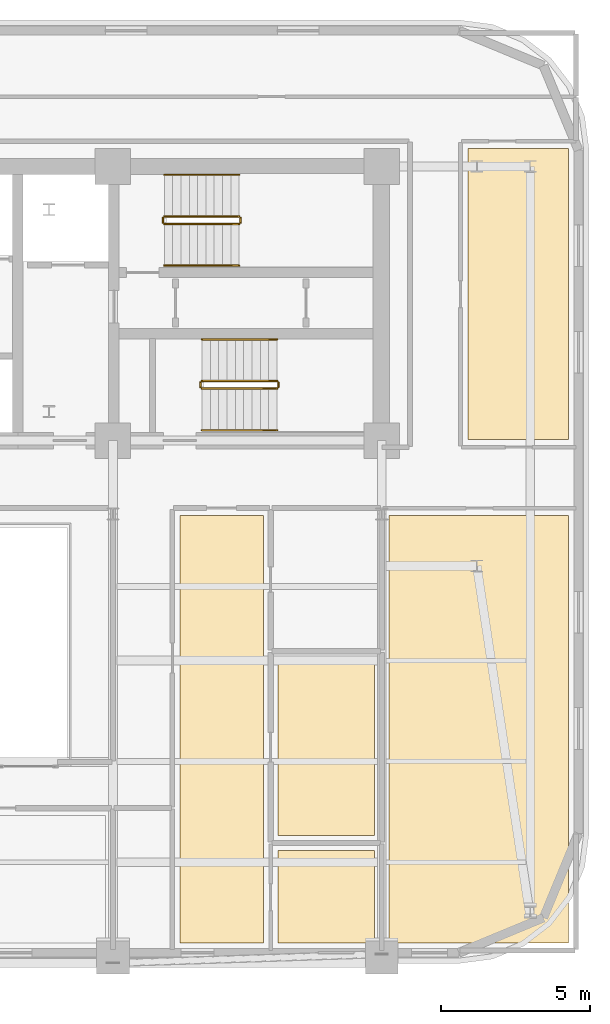
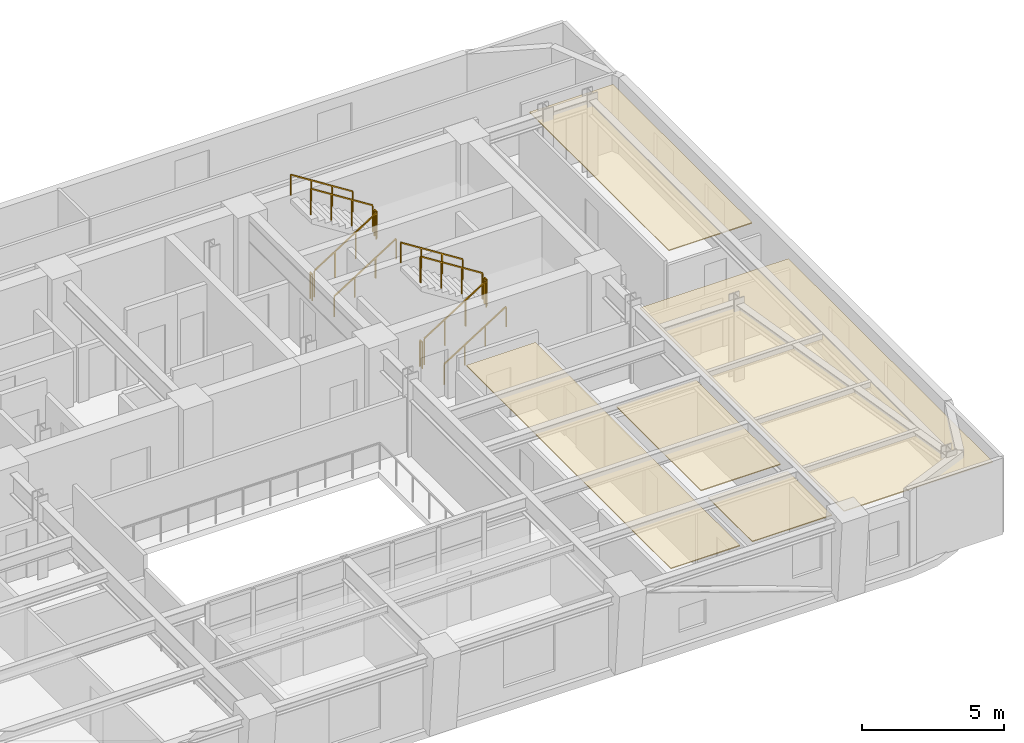
# One storey, part 12 of 12: 12 railings, 5 coverings.
"""IFC4 building model written with IfcOpenShell, lengths in metres."""

from ifc_helpers import new_model, si_unit, direction, frame, origin, origin_2d, place, context, subcontext, project, spatial, polyline, rectangle, outline, extrude, material, layer, layer_set, type_object, element, save


model = new_model("IFC4")

# Units and contexts
model_context = context("Model", 3, precision=1e-05, world=origin(), true_north=direction((0.0, 1.0)))
body_context = subcontext(model_context, "Body", "Model", "MODEL_VIEW")
ifc_project = project(units=[si_unit("LENGTHUNIT", "METRE"), si_unit("AREAUNIT", "SQUARE_METRE"), si_unit("VOLUMEUNIT", "CUBIC_METRE"), si_unit("PLANEANGLEUNIT", "RADIAN"), si_unit("MASSUNIT", "GRAM", prefix="KILO")], contexts=[model_context])

# Site, building, storey
site_placement = place(None, origin())
site = spatial("IfcSite", under=ifc_project, at=site_placement, CompositionType="ELEMENT")
building_placement = place(site_placement, origin())
building = spatial("IfcBuilding", under=site, at=building_placement, Name="Zarnavel Station Tower", CompositionType="ELEMENT")
storey_placement = place(building_placement, frame((0.0, 0.0, 173.199951171875)))
storey = spatial("IfcBuildingStorey", under=building, at=storey_placement, Name="L47", CompositionType="ELEMENT", Elevation=173.199951171875)

# Coverings
ifc_material_1 = material(Name="Perforated Gypsum and Mineral-Wool Acoustic Ceiling", Category="concrete")
ifc_layer = layer(ifc_material_1, 0.0400390625)
ifc_layer_set = layer_set([ifc_layer], Name="COV_CEIL_ACOUSTIC")
covering_type = type_object("IfcCoveringType", Name="COV_CEIL_ACOUSTIC", PredefinedType="CEILING", material=ifc_layer_set)
covering_1_placement = place(storey_placement, frame((0.0, 0.0, 2.969970703125)))
element("IfcCovering", 1, at=covering_1_placement, inside=storey, type_object=covering_type, Name="L47 FNE Acoustic Ceiling", PredefinedType="CEILING", context=body_context, shape_type="SweptSolid", body=[
    extrude(outline(polyline([(48.300048828125, 27.85009765625), (51.68994140625, 27.85009765625), (51.68994140625, 37.64990234375), (48.300048828125, 37.64990234375), (48.300048828125, 27.85009765625)])), origin(), (0.0, 0.0, 1.0), 0.0400390625),
])
covering_2_placement = place(storey_placement, frame((0.0, 0.0, 2.969970703125)))
element("IfcCovering", 2, at=covering_2_placement, inside=storey, type_object=covering_type, Name="L47 UE1LV Acoustic Ceiling", PredefinedType="CEILING", context=body_context, shape_type="SweptSolid", body=[
    extrude(outline(polyline([(38.60009765625, 10.909912109375), (41.4130859375, 10.909912109375), (41.4130859375, 25.300048828125), (38.60009765625, 25.300048828125), (38.60009765625, 10.909912109375)])), origin(), (0.0, 0.0, 1.0), 0.0400390625),
])
covering_3_placement = place(storey_placement, frame((0.0, 0.0, 2.969970703125)))
element("IfcCovering", 3, at=covering_3_placement, inside=storey, type_object=covering_type, Name="L47 UE1B1 Acoustic Ceiling", PredefinedType="CEILING", context=body_context, shape_type="SweptSolid", body=[
    extrude(outline(polyline([(41.9130859375, 10.909912109375), (45.14990234375, 10.909912109375), (45.14990234375, 14.02294921875), (41.9130859375, 14.02294921875), (41.9130859375, 10.909912109375)])), origin(), (0.0, 0.0, 1.0), 0.0400390625),
])
covering_4_placement = place(storey_placement, frame((0.0, 0.0, 2.969970703125)))
element("IfcCovering", 4, at=covering_4_placement, inside=storey, type_object=covering_type, Name="L47 UE1KT Acoustic Ceiling", PredefinedType="CEILING", context=body_context, shape_type="SweptSolid", body=[
    extrude(outline(polyline([(41.9130859375, 14.52294921875), (45.14990234375, 14.52294921875), (45.14990234375, 20.48291015625), (41.9130859375, 20.48291015625), (41.9130859375, 14.52294921875)])), origin(), (0.0, 0.0, 1.0), 0.0400390625),
])
covering_5_placement = place(storey_placement, frame((0.0, 0.0, 2.969970703125)))
element("IfcCovering", 5, at=covering_5_placement, inside=storey, type_object=covering_type, Name="L47 L47TEA Acoustic Ceiling", PredefinedType="CEILING", context=body_context, shape_type="SweptSolid", body=[
    extrude(outline(polyline([(45.64990234375, 10.909912109375), (51.68994140625, 10.909912109375), (51.68994140625, 25.300048828125), (45.64990234375, 25.300048828125), (45.64990234375, 10.909912109375)])), origin(), (0.0, 0.0, 1.0), 0.0400390625),
])

# Railings
ifc_material_2 = material(Name="Painted Steel S355J2 Balustrade", Category="steel")
railing_type_1 = type_object("IfcRailingType", Name="GR_INT_1150", PredefinedType="GUARDRAIL", material=ifc_material_2)
railing_1_placement = place(storey_placement, frame((38.080078125, 35.110107421875, 0.177490234375)))
element("IfcRailing", 6, at=railing_1_placement, inside=storey, type_object=railing_type_1, Name="L47 ST2 stair guard 1", PredefinedType="GUARDRAIL", context=body_context, shape_type="SweptSolid", body=[
    extrude(rectangle(XDim=0.048095703125, YDim=0.048095703125, at=origin_2d()), frame((0.001708984375, 0.0, 1.126953125), z_axis=(0.84456994832, 0.0, 0.535445237532), x_axis=(0.0, 1.0, 0.0)), (0.0, 0.0, 1.0), 2.979736328125),
    extrude(rectangle(XDim=0.0419921875, YDim=0.0419921875, at=origin_2d()), origin(), (0.0, 0.0, 1.0), 1.101806640625),
    extrude(rectangle(XDim=0.0419921875, YDim=0.0419921875, at=origin_2d()), frame((0.840087890625, 0.0, 0.532470703125)), (0.0, 0.0, 1.0), 1.101806640625),
    extrude(rectangle(XDim=0.0419921875, YDim=0.0419921875, at=origin_2d()), frame((1.679931640625, 0.0, 1.065185546875)), (0.0, 0.0, 1.0), 1.101806640625),
    extrude(rectangle(XDim=0.0419921875, YDim=0.0419921875, at=origin_2d()), frame((2.52001953125, 0.0, 1.59765625)), (0.0, 0.0, 1.0), 1.101806640625),
])
railing_2_placement = place(storey_placement, frame((40.64990234375, 35.159912109375, 1.775146484375)))
element("IfcRailing", 7, at=railing_2_placement, inside=storey, type_object=railing_type_1, Name="L47 ST2 stair guard 2", PredefinedType="GUARDRAIL", context=body_context, shape_type="SweptSolid", body=[
    extrude(rectangle(XDim=0.048095703125, YDim=0.048095703125, at=origin_2d()), frame((0.0, 0.001953125, 1.1259765625), z_axis=(0.0, 1.0, 0.0), x_axis=(-1.0, 0.0, 0.0)), (0.0, 0.0, 1.0), 0.15625),
    extrude(rectangle(XDim=0.0419921875, YDim=0.0419921875, at=origin_2d()), origin(), (0.0, 0.0, 1.0), 1.101806640625),
    extrude(rectangle(XDim=0.0419921875, YDim=0.0419921875, at=origin_2d()), frame((0.0, 0.16015625, 0.0)), (0.0, 0.0, 1.0), 1.101806640625),
])
railing_3_placement = place(storey_placement, frame((40.60009765625, 35.3701171875, 1.95263671875)))
element("IfcRailing", 8, at=railing_3_placement, inside=storey, type_object=railing_type_1, Name="L47 ST2 stair guard 3", PredefinedType="GUARDRAIL", context=body_context, shape_type="SweptSolid", body=[
    extrude(rectangle(XDim=0.048095703125, YDim=0.048095703125, at=origin_2d()), frame((-0.001708984375, 0.0, 1.126953125), z_axis=(-0.84460694969, 0.0, 0.535386869969), x_axis=(0.0, -1.0, 0.0)), (0.0, 0.0, 1.0), 2.979736328125),
    extrude(rectangle(XDim=0.0419921875, YDim=0.0419921875, at=origin_2d()), origin(), (0.0, 0.0, 1.0), 1.101806640625),
    extrude(rectangle(XDim=0.0419921875, YDim=0.0419921875, at=origin_2d()), frame((-0.840087890625, 0.0, 0.532470703125)), (0.0, 0.0, 1.0), 1.101806640625),
    extrude(rectangle(XDim=0.0419921875, YDim=0.0419921875, at=origin_2d()), frame((-1.679931640625, 0.0, 1.06494140625)), (0.0, 0.0, 1.0), 1.101806640625),
    extrude(rectangle(XDim=0.0419921875, YDim=0.0419921875, at=origin_2d()), frame((-2.52001953125, 0.0, 1.597412109375)), (0.0, 0.0, 1.0), 1.101806640625),
])
railing_4_placement = place(storey_placement, frame((38.030029296875, 35.159912109375, 0.0)))
element("IfcRailing", 9, at=railing_4_placement, inside=storey, type_object=railing_type_1, Name="L47 ST2 stair guard 4", PredefinedType="GUARDRAIL", context=body_context, shape_type="SweptSolid", body=[
    extrude(rectangle(XDim=0.048095703125, YDim=0.048095703125, at=origin_2d()), frame((0.0, 0.001953125, 1.1259765625), z_axis=(0.0, 1.0, 0.0), x_axis=(-1.0, 0.0, 0.0)), (0.0, 0.0, 1.0), 0.15625),
    extrude(rectangle(XDim=0.0419921875, YDim=0.0419921875, at=origin_2d()), origin(), (0.0, 0.0, 1.0), 1.101806640625),
    extrude(rectangle(XDim=0.0419921875, YDim=0.0419921875, at=origin_2d()), frame((0.0, 0.16015625, 0.0)), (0.0, 0.0, 1.0), 1.101806640625),
])
railing_5_placement = place(storey_placement, frame((39.35009765625, 29.570068359375, 0.177490234375)))
element("IfcRailing", 10, at=railing_5_placement, inside=storey, type_object=railing_type_1, Name="L47 ST3 stair guard 1", PredefinedType="GUARDRAIL", context=body_context, shape_type="SweptSolid", body=[
    extrude(rectangle(XDim=0.048095703125, YDim=0.048095703125, at=origin_2d()), frame((0.001708984375, 0.0, 1.126953125), z_axis=(0.84456994832, 0.0, 0.535445237532), x_axis=(0.0, 1.0, 0.0)), (0.0, 0.0, 1.0), 2.979736328125),
    extrude(rectangle(XDim=0.0419921875, YDim=0.0419921875, at=origin_2d()), origin(), (0.0, 0.0, 1.0), 1.101806640625),
    extrude(rectangle(XDim=0.0419921875, YDim=0.0419921875, at=origin_2d()), frame((0.840087890625, 0.0, 0.532470703125)), (0.0, 0.0, 1.0), 1.101806640625),
    extrude(rectangle(XDim=0.0419921875, YDim=0.0419921875, at=origin_2d()), frame((1.679931640625, 0.0, 1.065185546875)), (0.0, 0.0, 1.0), 1.101806640625),
    extrude(rectangle(XDim=0.0419921875, YDim=0.0419921875, at=origin_2d()), frame((2.52001953125, 0.0, 1.59765625)), (0.0, 0.0, 1.0), 1.101806640625),
])
railing_6_placement = place(storey_placement, frame((41.919921875, 29.6201171875, 1.775146484375)))
element("IfcRailing", 11, at=railing_6_placement, inside=storey, type_object=railing_type_1, Name="L47 ST3 stair guard 2", PredefinedType="GUARDRAIL", context=body_context, shape_type="SweptSolid", body=[
    extrude(rectangle(XDim=0.048095703125, YDim=0.048095703125, at=origin_2d()), frame((0.0, 0.001953125, 1.1259765625), z_axis=(0.0, 1.0, 0.0), x_axis=(-1.0, 0.0, 0.0)), (0.0, 0.0, 1.0), 0.156005859375),
    extrude(rectangle(XDim=0.0419921875, YDim=0.0419921875, at=origin_2d()), origin(), (0.0, 0.0, 1.0), 1.101806640625),
    extrude(rectangle(XDim=0.0419921875, YDim=0.0419921875, at=origin_2d()), frame((0.0, 0.159912109375, 0.0)), (0.0, 0.0, 1.0), 1.101806640625),
])
railing_7_placement = place(storey_placement, frame((41.8701171875, 29.830078125, 1.95263671875)))
element("IfcRailing", 12, at=railing_7_placement, inside=storey, type_object=railing_type_1, Name="L47 ST3 stair guard 3", PredefinedType="GUARDRAIL", context=body_context, shape_type="SweptSolid", body=[
    extrude(rectangle(XDim=0.048095703125, YDim=0.048095703125, at=origin_2d()), frame((-0.001708984375, 0.0, 1.126953125), z_axis=(-0.84460694969, 0.0, 0.535386869969), x_axis=(0.0, -1.0, 0.0)), (0.0, 0.0, 1.0), 2.979736328125),
    extrude(rectangle(XDim=0.0419921875, YDim=0.0419921875, at=origin_2d()), origin(), (0.0, 0.0, 1.0), 1.101806640625),
    extrude(rectangle(XDim=0.0419921875, YDim=0.0419921875, at=origin_2d()), frame((-0.840087890625, 0.0, 0.532470703125)), (0.0, 0.0, 1.0), 1.101806640625),
    extrude(rectangle(XDim=0.0419921875, YDim=0.0419921875, at=origin_2d()), frame((-1.679931640625, 0.0, 1.06494140625)), (0.0, 0.0, 1.0), 1.101806640625),
    extrude(rectangle(XDim=0.0419921875, YDim=0.0419921875, at=origin_2d()), frame((-2.52001953125, 0.0, 1.597412109375)), (0.0, 0.0, 1.0), 1.101806640625),
])
railing_8_placement = place(storey_placement, frame((39.300048828125, 29.6201171875, 0.0)))
element("IfcRailing", 13, at=railing_8_placement, inside=storey, type_object=railing_type_1, Name="L47 ST3 stair guard 4", PredefinedType="GUARDRAIL", context=body_context, shape_type="SweptSolid", body=[
    extrude(rectangle(XDim=0.048095703125, YDim=0.048095703125, at=origin_2d()), frame((0.0, 0.001953125, 1.1259765625), z_axis=(0.0, 1.0, 0.0), x_axis=(-1.0, 0.0, 0.0)), (0.0, 0.0, 1.0), 0.156005859375),
    extrude(rectangle(XDim=0.0419921875, YDim=0.0419921875, at=origin_2d()), origin(), (0.0, 0.0, 1.0), 1.101806640625),
    extrude(rectangle(XDim=0.0419921875, YDim=0.0419921875, at=origin_2d()), frame((0.0, 0.159912109375, 0.0)), (0.0, 0.0, 1.0), 1.101806640625),
])
ifc_material_3 = material(Name="Brushed Stainless Steel S355J2 Handrail", Category="steel")
railing_type_2 = type_object("IfcRailingType", Name="HR_STAIR_900", PredefinedType="HANDRAIL", material=ifc_material_3)
railing_9_placement = place(storey_placement, frame((38.080078125, 33.7099609375, 0.177490234375)))
element("IfcRailing", 14, at=railing_9_placement, inside=storey, type_object=railing_type_2, Name="L47 ST2 stair handrail 1", PredefinedType="HANDRAIL", context=body_context, shape_type="SweptSolid", body=[
    extrude(rectangle(XDim=0.048095703125, YDim=0.048095703125, at=origin_2d()), frame((0.001708984375, 0.0, 0.876953125), z_axis=(0.84456994832, 0.0, 0.535445237532), x_axis=(0.0, 1.0, 0.0)), (0.0, 0.0, 1.0), 2.979736328125),
    extrude(rectangle(XDim=0.0419921875, YDim=0.0419921875, at=origin_2d()), origin(), (0.0, 0.0, 1.0), 0.851806640625),
    extrude(rectangle(XDim=0.0419921875, YDim=0.0419921875, at=origin_2d()), frame((0.840087890625, 0.0, 0.532470703125)), (0.0, 0.0, 1.0), 0.851806640625),
    extrude(rectangle(XDim=0.0419921875, YDim=0.0419921875, at=origin_2d()), frame((1.679931640625, 0.0, 1.065185546875)), (0.0, 0.0, 1.0), 0.851806640625),
    extrude(rectangle(XDim=0.0419921875, YDim=0.0419921875, at=origin_2d()), frame((2.52001953125, 0.0, 1.59765625)), (0.0, 0.0, 1.0), 0.851806640625),
])
railing_10_placement = place(storey_placement, frame((40.60009765625, 36.77001953125, 1.95263671875)))
element("IfcRailing", 15, at=railing_10_placement, inside=storey, type_object=railing_type_2, Name="L47 ST2 stair handrail 2", PredefinedType="HANDRAIL", context=body_context, shape_type="SweptSolid", body=[
    extrude(rectangle(XDim=0.048095703125, YDim=0.048095703125, at=origin_2d()), frame((-0.001708984375, 0.0, 0.876953125), z_axis=(-0.84460694969, 0.0, 0.535386869969), x_axis=(0.0, -1.0, 0.0)), (0.0, 0.0, 1.0), 2.979736328125),
    extrude(rectangle(XDim=0.0419921875, YDim=0.0419921875, at=origin_2d()), origin(), (0.0, 0.0, 1.0), 0.851806640625),
    extrude(rectangle(XDim=0.0419921875, YDim=0.0419921875, at=origin_2d()), frame((-0.840087890625, 0.0, 0.532470703125)), (0.0, 0.0, 1.0), 0.851806640625),
    extrude(rectangle(XDim=0.0419921875, YDim=0.0419921875, at=origin_2d()), frame((-1.679931640625, 0.0, 1.06494140625)), (0.0, 0.0, 1.0), 0.851806640625),
    extrude(rectangle(XDim=0.0419921875, YDim=0.0419921875, at=origin_2d()), frame((-2.52001953125, 0.0, 1.597412109375)), (0.0, 0.0, 1.0), 0.851806640625),
])
railing_11_placement = place(storey_placement, frame((39.35009765625, 28.169921875, 0.177490234375)))
element("IfcRailing", 16, at=railing_11_placement, inside=storey, type_object=railing_type_2, Name="L47 ST3 stair handrail 1", PredefinedType="HANDRAIL", context=body_context, shape_type="SweptSolid", body=[
    extrude(rectangle(XDim=0.048095703125, YDim=0.048095703125, at=origin_2d()), frame((0.001708984375, 0.0, 0.876953125), z_axis=(0.84456994832, 0.0, 0.535445237532), x_axis=(0.0, 1.0, 0.0)), (0.0, 0.0, 1.0), 2.979736328125),
    extrude(rectangle(XDim=0.0419921875, YDim=0.0419921875, at=origin_2d()), origin(), (0.0, 0.0, 1.0), 0.851806640625),
    extrude(rectangle(XDim=0.0419921875, YDim=0.0419921875, at=origin_2d()), frame((0.840087890625, 0.0, 0.532470703125)), (0.0, 0.0, 1.0), 0.851806640625),
    extrude(rectangle(XDim=0.0419921875, YDim=0.0419921875, at=origin_2d()), frame((1.679931640625, 0.0, 1.065185546875)), (0.0, 0.0, 1.0), 0.851806640625),
    extrude(rectangle(XDim=0.0419921875, YDim=0.0419921875, at=origin_2d()), frame((2.52001953125, 0.0, 1.59765625)), (0.0, 0.0, 1.0), 0.851806640625),
])
railing_12_placement = place(storey_placement, frame((41.8701171875, 31.22998046875, 1.95263671875)))
element("IfcRailing", 17, at=railing_12_placement, inside=storey, type_object=railing_type_2, Name="L47 ST3 stair handrail 2", PredefinedType="HANDRAIL", context=body_context, shape_type="SweptSolid", body=[
    extrude(rectangle(XDim=0.048095703125, YDim=0.048095703125, at=origin_2d()), frame((-0.001708984375, 0.0, 0.876953125), z_axis=(-0.84460694969, 0.0, 0.535386869969), x_axis=(0.0, -1.0, 0.0)), (0.0, 0.0, 1.0), 2.979736328125),
    extrude(rectangle(XDim=0.0419921875, YDim=0.0419921875, at=origin_2d()), origin(), (0.0, 0.0, 1.0), 0.851806640625),
    extrude(rectangle(XDim=0.0419921875, YDim=0.0419921875, at=origin_2d()), frame((-0.840087890625, 0.0, 0.532470703125)), (0.0, 0.0, 1.0), 0.851806640625),
    extrude(rectangle(XDim=0.0419921875, YDim=0.0419921875, at=origin_2d()), frame((-1.679931640625, 0.0, 1.06494140625)), (0.0, 0.0, 1.0), 0.851806640625),
    extrude(rectangle(XDim=0.0419921875, YDim=0.0419921875, at=origin_2d()), frame((-2.52001953125, 0.0, 1.597412109375)), (0.0, 0.0, 1.0), 0.851806640625),
])

save(model, "model.ifc")
